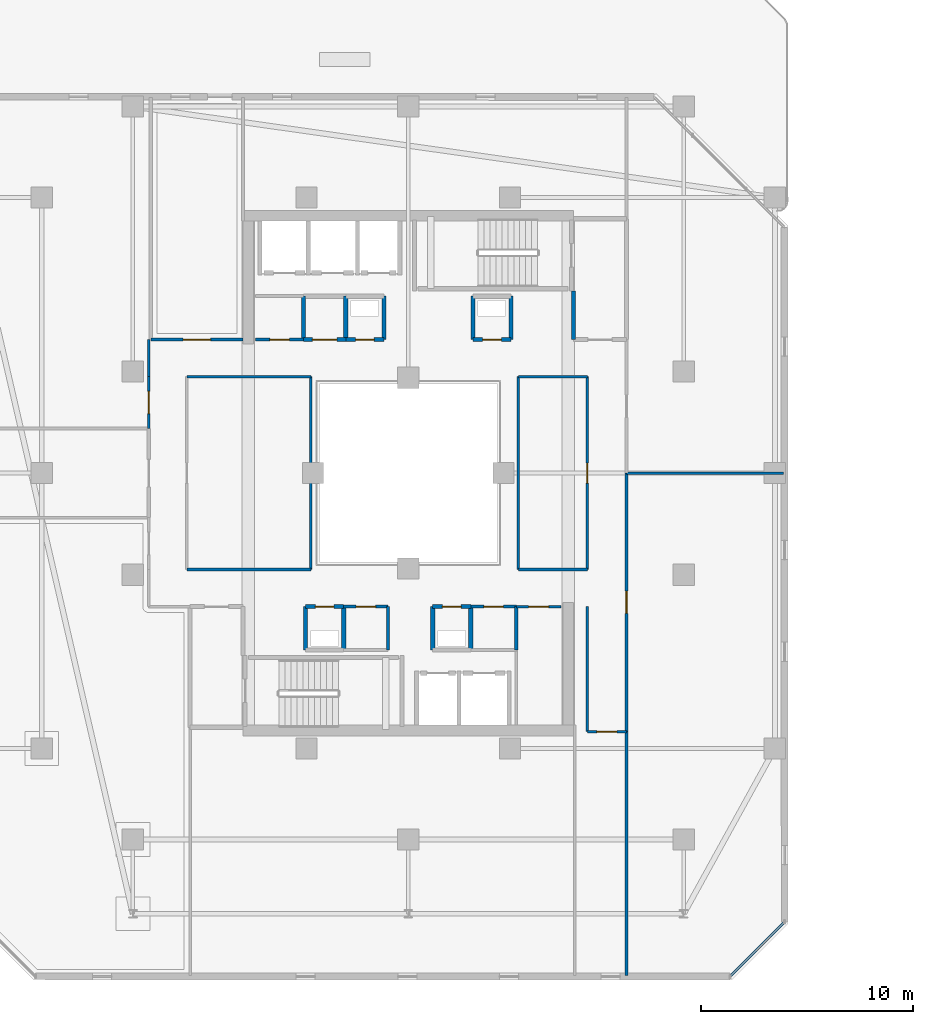
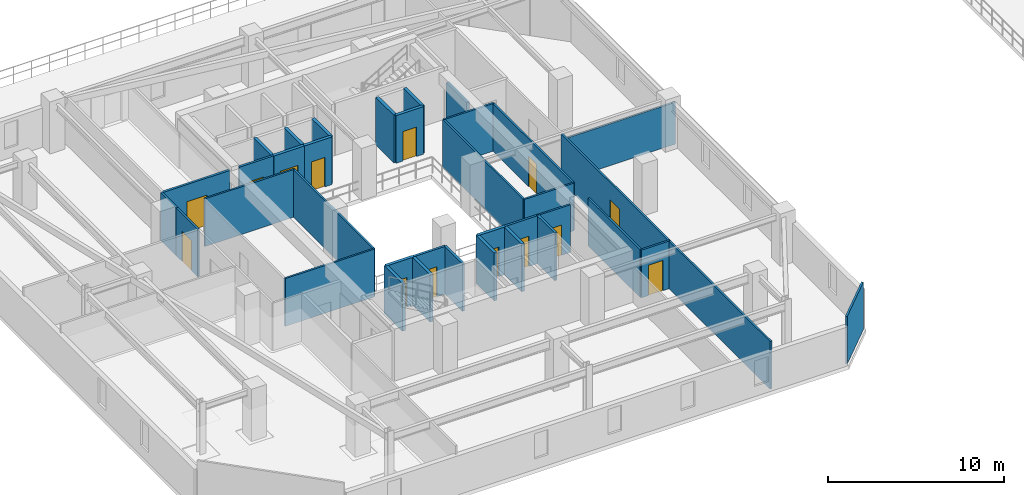
# One storey, part 19 of 29: 37 walls, 14 doors, 14 openings.
"""IFC4 building model written with IfcOpenShell, lengths in metres."""

from ifc_helpers import new_model, si_unit, direction, frame, frame_2d, origin, place, context, subcontext, project, spatial, rectangle, extrude, material, layer, layer_set, type_object, element, fill, save


model = new_model("IFC4")

# Units and contexts
model_context = context("Model", 3, precision=1e-05, world=origin(), true_north=direction((0.0, 1.0)))
body_context = subcontext(model_context, "Body", "Model", "MODEL_VIEW")
ifc_project = project(units=[si_unit("LENGTHUNIT", "METRE"), si_unit("AREAUNIT", "SQUARE_METRE"), si_unit("VOLUMEUNIT", "CUBIC_METRE"), si_unit("PLANEANGLEUNIT", "RADIAN"), si_unit("MASSUNIT", "GRAM", prefix="KILO")], contexts=[model_context])

# Site, building, storey
site_placement = place(None, origin())
site = spatial("IfcSite", under=ifc_project, at=site_placement, CompositionType="ELEMENT")
building_placement = place(site_placement, origin())
building = spatial("IfcBuilding", under=site, at=building_placement, Name="Thornwick Lancets Civic Towers", CompositionType="ELEMENT")
storey_placement = place(building_placement, frame((0.0, 0.0, 229.5)))
storey = spatial("IfcBuildingStorey", under=building, at=storey_placement, Name="L61", CompositionType="ELEMENT", Elevation=229.5)

# Walls
ifc_material_1 = material(Name="Concrete blockwork C40/50", Category="masonry")
ifc_layer_1 = layer(ifc_material_1, 0.199951171875, Name="Concrete blockwork C40/50")
ifc_layer_set_1 = layer_set([ifc_layer_1], Name="Concrete blockwork C40/50")
wall_type_1 = type_object("IfcWallType", Name="WALL_COMP_200", PredefinedType="STANDARD", material=ifc_layer_set_1)
wall_1_placement = place(storey_placement, frame((33.300048828125, 35.60009765625, 0.0), z_axis=(0.0, 0.0, 1.0), x_axis=(0.0, -1.0, 0.0)))
element("IfcWall", 1, at=wall_1_placement, inside=storey, type_object=wall_type_1, Name="L61 Partition L61-A-FFLOB2 E4", PredefinedType="STANDARD", context=body_context, shape_type="SweptSolid", body=[
    extrude(rectangle(XDim=2.300048828125, YDim=0.199951171875, at=frame_2d((1.14990234375, 0.0))), origin(), (0.0, 0.0, 1.0), 2.5048828125),
])
wall_2_placement = place(storey_placement, frame((28.449951171875, 18.64990234375, 0.0), z_axis=(0.0, 0.0, 1.0), x_axis=(0.0, 1.0, 0.0)))
element("IfcWall", 2, at=wall_2_placement, inside=storey, type_object=wall_type_1, Name="L61 Partition L61-A-DUCT1 E2", PredefinedType="STANDARD", context=body_context, shape_type="SweptSolid", body=[
    extrude(rectangle(XDim=2.050048828125, YDim=0.199951171875, at=frame_2d((1.02490234375, 0.0))), origin(), (0.0, 0.0, 1.0), 3.300048828125),
])

# Wall, opening, door
wall_3_placement = place(storey_placement, frame((28.449951171875, 20.699951171875, 0.0), z_axis=(0.0, 0.0, 1.0), x_axis=(-1.0, 0.0, 0.0)))
wall_3 = element("IfcWall", 3, at=wall_3_placement, inside=storey, type_object=wall_type_1, Name="L61 Partition L61-A-DUCT1 E3", PredefinedType="STANDARD", context=body_context, shape_type="SweptSolid", body=[
    extrude(rectangle(XDim=1.800048828125, YDim=0.199951171875, at=frame_2d((0.89990234375, 0.0))), origin(), (0.0, 0.0, 1.0), 3.300048828125),
])
opening_1_placement = place(wall_3_placement, frame((0.4599609375, 0.0, 0.0)))
opening_1 = element("IfcOpeningElement", 4, at=opening_1_placement, cuts=wall_3, Name="Opening D-L61-2739", PredefinedType="OPENING", context=body_context, shape_type="SweptSolid", body=[
    extrude(rectangle(XDim=0.8798828125, YDim=2.0400390625, at=frame_2d((0.43994140625, 1.02001953125))), frame((0.0, 0.10986328125, 0.0), z_axis=(0.0, -1.0, 0.0), x_axis=(1.0, 0.0, 0.0)), (0.0, 0.0, 1.0), 0.219970703125),
])
ifc_material_2 = material(Name="Steel riser access doorset", Category="steel")
door_type_1 = type_object("IfcDoorType", Name="DOOR_RISER_850", OperationType="NOTDEFINED", PredefinedType="DOOR", material=ifc_material_2)
door_1_placement = place(opening_1_placement, origin())
door_1 = element("IfcDoor", 5, at=door_1_placement, inside=storey, type_object=door_type_1, Name="L61 South Service Duct 1 Door", OperationType="SINGLE_SWING_RIGHT", OverallHeight=2.0400390625, OverallWidth=0.8798828125, PredefinedType="DOOR", context=body_context, shape_type="SweptSolid", body=[
    extrude(rectangle(XDim=0.8798828125, YDim=2.0400390625, at=frame_2d((0.43994140625, 1.02001953125))), frame((0.0, 0.02490234375, 0.0), z_axis=(0.0, -1.0, 0.0), x_axis=(1.0, 0.0, 0.0)), (0.0, 0.0, 1.0), 0.050048828125),
])
fill(opening_1, door_1)

# Walls
for number, where, z_axis, x_axis, name in (
    (6, (26.64990234375, 20.699951171875, 0.0), (0.0, 0.0, 1.0), (0.0, -1.0, 0.0), "L61 Partition L61-A-DUCT1 E4"),
    (7, (22.449951171875, 18.64990234375, 0.0), (0.0, 0.0, 1.0), (0.0, 1.0, 0.0), "L61 Partition L61-A-RISER1 E2"),
):
    element("IfcWall", number, at=place(storey_placement, frame(where, z_axis=z_axis, x_axis=x_axis)), inside=storey, type_object=wall_type_1, Name=name, PredefinedType="STANDARD", context=body_context, shape_type="SweptSolid", body=[
        extrude(rectangle(XDim=2.050048828125, YDim=0.199951171875, at=frame_2d((1.02490234375, 0.0))), origin(), (0.0, 0.0, 1.0), 3.300048828125),
    ])

# Wall, opening, door
wall_4_placement = place(storey_placement, frame((22.449951171875, 20.699951171875, 0.0), z_axis=(0.0, 0.0, 1.0), x_axis=(-1.0, 0.0, 0.0)))
wall_4 = element("IfcWall", 8, at=wall_4_placement, inside=storey, type_object=wall_type_1, Name="L61 Partition L61-A-RISER1 E3", PredefinedType="STANDARD", context=body_context, shape_type="SweptSolid", body=[
    extrude(rectangle(XDim=1.800048828125, YDim=0.199951171875, at=frame_2d((0.89990234375, 0.0))), origin(), (0.0, 0.0, 1.0), 3.300048828125),
])
opening_2_placement = place(wall_4_placement, frame((0.4599609375, 0.0, 0.0)))
opening_2 = element("IfcOpeningElement", 9, at=opening_2_placement, cuts=wall_4, Name="Opening D-L61-2740", PredefinedType="OPENING", context=body_context, shape_type="SweptSolid", body=[
    extrude(rectangle(XDim=0.8798828125, YDim=2.0400390625, at=frame_2d((0.43994140625, 1.02001953125))), frame((0.0, 0.10986328125, 0.0), z_axis=(0.0, -1.0, 0.0), x_axis=(1.0, 0.0, 0.0)), (0.0, 0.0, 1.0), 0.219970703125),
])
door_2_placement = place(opening_2_placement, origin())
door_2 = element("IfcDoor", 10, at=door_2_placement, inside=storey, type_object=door_type_1, Name="L61 South Electrical Riser 1 Door", OperationType="SINGLE_SWING_LEFT", OverallHeight=2.0400390625, OverallWidth=0.8798828125, PredefinedType="DOOR", context=body_context, shape_type="SweptSolid", body=[
    extrude(rectangle(XDim=0.8798828125, YDim=2.0400390625, at=frame_2d((0.43994140625, 1.02001953125))), frame((0.0, 0.02490234375, 0.0), z_axis=(0.0, -1.0, 0.0), x_axis=(1.0, 0.0, 0.0)), (0.0, 0.0, 1.0), 0.050048828125),
])
fill(opening_2, door_2)

# Wall
wall_5_placement = place(storey_placement, frame((20.64990234375, 20.699951171875, 0.0), z_axis=(0.0, 0.0, 1.0), x_axis=(0.0, -1.0, 0.0)))
element("IfcWall", 11, at=wall_5_placement, inside=storey, type_object=wall_type_1, Name="L61 Partition L61-A-RISER1 E4", PredefinedType="STANDARD", context=body_context, shape_type="SweptSolid", body=[
    extrude(rectangle(XDim=2.050048828125, YDim=0.199951171875, at=frame_2d((1.02490234375, 0.0))), origin(), (0.0, 0.0, 1.0), 3.300048828125),
])

# Wall, opening, door
wall_6_placement = place(storey_placement, frame((22.550048828125, 33.300048828125, 0.0), z_axis=(0.0, 0.0, 1.0), x_axis=(1.0, 0.0, 0.0)))
wall_6 = element("IfcWall", 12, at=wall_6_placement, inside=storey, type_object=wall_type_1, Name="L61 Partition L61-A-DUCT2 E1", PredefinedType="STANDARD", context=body_context, shape_type="SweptSolid", body=[
    extrude(rectangle(XDim=1.800048828125, YDim=0.199951171875, at=frame_2d((0.89990234375, 0.0))), origin(), (0.0, 0.0, 1.0), 3.300048828125),
])
opening_3_placement = place(wall_6_placement, frame((0.4599609375, 0.0, 0.0)))
opening_3 = element("IfcOpeningElement", 13, at=opening_3_placement, cuts=wall_6, Name="Opening D-L61-2741", PredefinedType="OPENING", context=body_context, shape_type="SweptSolid", body=[
    extrude(rectangle(XDim=0.8798828125, YDim=2.0400390625, at=frame_2d((0.43994140625, 1.02001953125))), frame((0.0, 0.10986328125, 0.0), z_axis=(0.0, -1.0, 0.0), x_axis=(1.0, 0.0, 0.0)), (0.0, 0.0, 1.0), 0.219970703125),
])
door_3_placement = place(opening_3_placement, origin())
door_3 = element("IfcDoor", 14, at=door_3_placement, inside=storey, type_object=door_type_1, Name="L61 North Service Duct 2 Door", OperationType="SINGLE_SWING_RIGHT", OverallHeight=2.0400390625, OverallWidth=0.8798828125, PredefinedType="DOOR", context=body_context, shape_type="SweptSolid", body=[
    extrude(rectangle(XDim=0.8798828125, YDim=2.0400390625, at=frame_2d((0.43994140625, 1.02001953125))), frame((0.0, 0.02490234375, 0.0), z_axis=(0.0, -1.0, 0.0), x_axis=(1.0, 0.0, 0.0)), (0.0, 0.0, 1.0), 0.050048828125),
])
fill(opening_3, door_3)

# Walls
for number, where, z_axis, x_axis, name in (
    (15, (24.35009765625, 33.300048828125, 0.0), (0.0, 0.0, 1.0), (0.0, 1.0, 0.0), "L61 Partition L61-A-DUCT2 E2"),
    (16, (22.550048828125, 35.35009765625, 0.0), (0.0, 0.0, 1.0), (0.0, -1.0, 0.0), "L61 Partition L61-A-DUCT2 E4"),
):
    element("IfcWall", number, at=place(storey_placement, frame(where, z_axis=z_axis, x_axis=x_axis)), inside=storey, type_object=wall_type_1, Name=name, PredefinedType="STANDARD", context=body_context, shape_type="SweptSolid", body=[
        extrude(rectangle(XDim=2.050048828125, YDim=0.199951171875, at=frame_2d((1.02490234375, 0.0))), origin(), (0.0, 0.0, 1.0), 3.300048828125),
    ])

# Wall, opening, door
wall_7_placement = place(storey_placement, frame((28.550048828125, 33.300048828125, 0.0), z_axis=(0.0, 0.0, 1.0), x_axis=(1.0, 0.0, 0.0)))
wall_7 = element("IfcWall", 17, at=wall_7_placement, inside=storey, type_object=wall_type_1, Name="L61 Partition L61-A-RISER2 E1", PredefinedType="STANDARD", context=body_context, shape_type="SweptSolid", body=[
    extrude(rectangle(XDim=1.800048828125, YDim=0.199951171875, at=frame_2d((0.89990234375, 0.0))), origin(), (0.0, 0.0, 1.0), 3.300048828125),
])
opening_4_placement = place(wall_7_placement, frame((0.4599609375, 0.0, 0.0)))
opening_4 = element("IfcOpeningElement", 18, at=opening_4_placement, cuts=wall_7, Name="Opening D-L61-2742", PredefinedType="OPENING", context=body_context, shape_type="SweptSolid", body=[
    extrude(rectangle(XDim=0.8798828125, YDim=2.0400390625, at=frame_2d((0.43994140625, 1.02001953125))), frame((0.0, 0.10986328125, 0.0), z_axis=(0.0, -1.0, 0.0), x_axis=(1.0, 0.0, 0.0)), (0.0, 0.0, 1.0), 0.219970703125),
])
door_4_placement = place(opening_4_placement, origin())
door_4 = element("IfcDoor", 19, at=door_4_placement, inside=storey, type_object=door_type_1, Name="L61 North Service Riser 2 Door", OperationType="SINGLE_SWING_LEFT", OverallHeight=2.0400390625, OverallWidth=0.8798828125, PredefinedType="DOOR", context=body_context, shape_type="SweptSolid", body=[
    extrude(rectangle(XDim=0.8798828125, YDim=2.0400390625, at=frame_2d((0.43994140625, 1.02001953125))), frame((0.0, 0.02490234375, 0.0), z_axis=(0.0, -1.0, 0.0), x_axis=(1.0, 0.0, 0.0)), (0.0, 0.0, 1.0), 0.050048828125),
])
fill(opening_4, door_4)

# Walls
for number, where, z_axis, x_axis, name in (
    (20, (30.35009765625, 33.300048828125, 0.0), (0.0, 0.0, 1.0), (0.0, 1.0, 0.0), "L61 Partition L61-A-RISER2 E2"),
    (21, (28.550048828125, 35.35009765625, 0.0), (0.0, 0.0, 1.0), (0.0, -1.0, 0.0), "L61 Partition L61-A-RISER2 E4"),
    (22, (20.550048828125, 33.300048828125, 0.0), (0.0, 0.0, 1.0), (0.0, 1.0, 0.0), "L61 Partition L61-A-STR E1"),
):
    element("IfcWall", number, at=place(storey_placement, frame(where, z_axis=z_axis, x_axis=x_axis)), inside=storey, type_object=wall_type_1, Name=name, PredefinedType="STANDARD", context=body_context, shape_type="SweptSolid", body=[
        extrude(rectangle(XDim=2.050048828125, YDim=0.199951171875, at=frame_2d((1.02490234375, 0.0))), origin(), (0.0, 0.0, 1.0), 3.300048828125),
    ])

# Wall, opening, door
wall_8_placement = place(storey_placement, frame((22.550048828125, 33.300048828125, 0.0), z_axis=(0.0, 0.0, 1.0), x_axis=(-1.0, 0.0, 0.0)))
wall_8 = element("IfcWall", 23, at=wall_8_placement, inside=storey, type_object=wall_type_1, Name="L61 Partition L61-A-STR E4", PredefinedType="STANDARD", context=body_context, shape_type="SweptSolid", body=[
    extrude(rectangle(XDim=2.0, YDim=0.199951171875, at=frame_2d((1.0, 0.0))), origin(), (0.0, 0.0, 1.0), 3.300048828125),
])
opening_5_placement = place(wall_8_placement, frame((0.425048828125, 0.0, 0.0)))
opening_5 = element("IfcOpeningElement", 24, at=opening_5_placement, cuts=wall_8, Name="Opening D-L61-2747", PredefinedType="OPENING", context=body_context, shape_type="SweptSolid", body=[
    extrude(rectangle(XDim=1.14990234375, YDim=2.10009765625, at=frame_2d((0.574951171875, 1.050048828125))), frame((0.0, 0.10986328125, 0.0), z_axis=(0.0, -1.0, 0.0), x_axis=(1.0, 0.0, 0.0)), (0.0, 0.0, 1.0), 0.219970703125),
])
ifc_material_3 = material(Name="Glazed fire-resisting steel", Category="steel")
door_type_2 = type_object("IfcDoorType", Name="DOOR_LOBBY_FD60", OperationType="NOTDEFINED", PredefinedType="DOOR", material=ifc_material_3)
door_5_placement = place(opening_5_placement, origin())
door_5 = element("IfcDoor", 25, at=door_5_placement, inside=storey, type_object=door_type_2, Name="L61 Tower A Core Records Store Door", OperationType="SINGLE_SWING_RIGHT", OverallHeight=2.10009765625, OverallWidth=1.14990234375, PredefinedType="DOOR", context=body_context, shape_type="SweptSolid", body=[
    extrude(rectangle(XDim=1.14990234375, YDim=2.10009765625, at=frame_2d((0.574951171875, 1.050048828125))), frame((0.0, 0.02490234375, 0.0), z_axis=(0.0, -1.0, 0.0), x_axis=(1.0, 0.0, 0.0)), (0.0, 0.0, 1.0), 0.050048828125),
])
fill(opening_5, door_5)

ifc_material_4 = material(Name="Acoustic gypsum board partition")
ifc_layer_2 = layer(ifc_material_4, 0.1201171875, Name="Acoustic gypsum board partition")
ifc_layer_set_2 = layer_set([ifc_layer_2], Name="Acoustic gypsum board partition")
wall_type_2 = type_object("IfcWallType", Name="WALL_PART_120", PredefinedType="PARTITIONING", material=ifc_layer_set_2)
wall_9_placement = place(storey_placement, frame((30.60009765625, 20.699951171875, 0.0), z_axis=(0.0, 0.0, 1.0), x_axis=(1.0, 0.0, 0.0)))
wall_9 = element("IfcWall", 26, at=wall_9_placement, inside=storey, type_object=wall_type_2, Name="L61 Partition L61-A-ITR E5", PredefinedType="PARTITIONING", context=body_context, shape_type="SweptSolid", body=[
    extrude(rectangle(XDim=2.099853515625, YDim=0.1201171875, at=frame_2d((1.0498046875, 0.0))), origin(), (0.0, 0.0, 1.0), 3.300048828125),
])
opening_6_placement = place(wall_9_placement, frame((0.574951171875, 0.0, 0.0)))
opening_6 = element("IfcOpeningElement", 27, at=opening_6_placement, cuts=wall_9, Name="Opening D-L61-2745", PredefinedType="OPENING", context=body_context, shape_type="SweptSolid", body=[
    extrude(rectangle(XDim=0.949951171875, YDim=2.10009765625, at=frame_2d((0.47509765625, 1.050048828125))), frame((0.0, 0.070068359375, 0.0), z_axis=(0.0, -1.0, 0.0), x_axis=(1.0, 0.0, 0.0)), (0.0, 0.0, 1.0), 0.14013671875),
])
ifc_material_5 = material(Name="European oak acoustic doorset")
door_type_3 = type_object("IfcDoorType", Name="DOOR_OFFICE_950", OperationType="NOTDEFINED", PredefinedType="DOOR", material=ifc_material_5)
door_6_placement = place(opening_6_placement, origin())
door_6 = element("IfcDoor", 28, at=door_6_placement, inside=storey, type_object=door_type_3, Name="L61 Tower A Comms Patch Room Door", OperationType="SINGLE_SWING_RIGHT", OverallHeight=2.10009765625, OverallWidth=0.949951171875, PredefinedType="DOOR", context=body_context, shape_type="SweptSolid", body=[
    extrude(rectangle(XDim=0.949951171875, YDim=2.10009765625, at=frame_2d((0.47509765625, 1.050048828125))), frame((0.0, 0.02490234375, 0.0), z_axis=(0.0, -1.0, 0.0), x_axis=(1.0, 0.0, 0.0)), (0.0, 0.0, 1.0), 0.050048828125),
])
fill(opening_6, door_6)

# Wall
wall_10_placement = place(storey_placement, frame((33.949951171875, 20.699951171875, 0.0), z_axis=(0.0, 0.0, 1.0), x_axis=(0.0, -1.0, 0.0)))
element("IfcWall", 29, at=wall_10_placement, inside=storey, type_object=wall_type_2, Name="L61 Partition L61-A-RECLAIM-L E1", PredefinedType="PARTITIONING", context=body_context, shape_type="SweptSolid", body=[
    extrude(rectangle(XDim=5.89990234375, YDim=0.1201171875, at=frame_2d((2.949951171875, 0.0))), origin(), (0.0, 0.0, 1.0), 3.300048828125),
])

# Wall, opening, door
wall_11_placement = place(storey_placement, frame((33.949951171875, 14.800048828125, 0.0), z_axis=(0.0, 0.0, 1.0), x_axis=(1.0, 0.0, 0.0)))
wall_11 = element("IfcWall", 30, at=wall_11_placement, inside=storey, type_object=wall_type_2, Name="L61 Partition L61-A-RECLAIM-L E2", PredefinedType="PARTITIONING", context=body_context, shape_type="SweptSolid", body=[
    extrude(rectangle(XDim=1.85009765625, YDim=0.1201171875, at=frame_2d((0.925048828125, 0.0))), origin(), (0.0, 0.0, 1.0), 3.300048828125),
])
opening_7_placement = place(wall_11_placement, frame((0.449951171875, 0.0, 0.0)))
opening_7 = element("IfcOpeningElement", 31, at=opening_7_placement, cuts=wall_11, Name="Opening D-L61-2759", PredefinedType="OPENING", context=body_context, shape_type="SweptSolid", body=[
    extrude(rectangle(XDim=0.949951171875, YDim=2.10009765625, at=frame_2d((0.47509765625, 1.050048828125))), frame((0.0, 0.070068359375, 0.0), z_axis=(0.0, -1.0, 0.0), x_axis=(1.0, 0.0, 0.0)), (0.0, 0.0, 1.0), 0.14013671875),
])
door_7_placement = place(opening_7_placement, origin())
door_7 = element("IfcDoor", 32, at=door_7_placement, inside=storey, type_object=door_type_3, Name="L61 Tower A Parliamentary Drafting Library Door", OperationType="SINGLE_SWING_RIGHT", OverallHeight=2.10009765625, OverallWidth=0.949951171875, PredefinedType="DOOR", context=body_context, shape_type="SweptSolid", body=[
    extrude(rectangle(XDim=0.949951171875, YDim=2.10009765625, at=frame_2d((0.47509765625, 1.050048828125))), frame((0.0, 0.02490234375, 0.0), z_axis=(0.0, -1.0, 0.0), x_axis=(1.0, 0.0, 0.0)), (0.0, 0.0, 1.0), 0.050048828125),
])
fill(opening_7, door_7)

# Walls
wall_12_placement = place(storey_placement, frame((35.800048828125, 14.800048828125, 0.0), z_axis=(0.0, 0.0, 1.0), x_axis=(0.0, -1.0, 0.0)))
element("IfcWall", 33, at=wall_12_placement, inside=storey, type_object=wall_type_2, Name="L61 Partition L61-A-RECLAIM-L E3", PredefinedType="PARTITIONING", context=body_context, shape_type="SweptSolid", body=[
    extrude(rectangle(XDim=11.52001953125, YDim=0.1201171875, at=frame_2d((5.760009765625, 0.0))), origin(), (0.0, 0.0, 1.0), 3.300048828125),
])
wall_13_placement = place(storey_placement, frame((13.25, 33.300048828125, 0.0), z_axis=(0.0, 0.0, 1.0), x_axis=(0.0, -1.0, 0.0)))
element("IfcWall", 34, at=wall_13_placement, inside=storey, type_object=wall_type_2, Name="L61 Partition L61-A-W2B E5", PredefinedType="PARTITIONING", context=body_context, shape_type="SweptSolid", body=[
    extrude(rectangle(XDim=1.75, YDim=0.1201171875, at=frame_2d((0.875, 0.0))), origin(), (0.0, 0.0, 1.0), 3.300048828125),
])

# Wall, opening, door
wall_14_placement = place(storey_placement, frame((13.25, 31.550048828125, 0.0), z_axis=(0.0, 0.0, 1.0), x_axis=(0.0, -1.0, 0.0)))
wall_14 = element("IfcWall", 35, at=wall_14_placement, inside=storey, type_object=wall_type_2, Name="L61 Partition L61-A-W2B E6", PredefinedType="PARTITIONING", context=body_context, shape_type="SweptSolid", body=[
    extrude(rectangle(XDim=2.449951171875, YDim=0.1201171875, at=frame_2d((1.22509765625, 0.0))), origin(), (0.0, 0.0, 1.0), 3.300048828125),
])
opening_8_placement = place(wall_14_placement, frame((0.699951171875, 0.0, 0.0)))
opening_8 = element("IfcOpeningElement", 36, at=opening_8_placement, cuts=wall_14, Name="Opening D-L61-2763", PredefinedType="OPENING", context=body_context, shape_type="SweptSolid", body=[
    extrude(rectangle(XDim=1.050048828125, YDim=2.10009765625, at=frame_2d((0.52490234375, 1.050048828125))), frame((0.0, 0.070068359375, 0.0), z_axis=(0.0, -1.0, 0.0), x_axis=(1.0, 0.0, 0.0)), (0.0, 0.0, 1.0), 0.14013671875),
])
ifc_material_6 = material(Name="Glazed European oak executive doorset")
door_type_4 = type_object("IfcDoorType", Name="DOOR_OFFICE_1050", OperationType="NOTDEFINED", PredefinedType="DOOR", material=ifc_material_6)
door_8_placement = place(opening_8_placement, origin())
door_8 = element("IfcDoor", 37, at=door_8_placement, inside=storey, type_object=door_type_4, Name="L61 Tower A Parliamentary Casework Suite W2B Door", OperationType="SINGLE_SWING_RIGHT", OverallHeight=2.10009765625, OverallWidth=1.050048828125, PredefinedType="DOOR", context=body_context, shape_type="SweptSolid", body=[
    extrude(rectangle(XDim=1.050048828125, YDim=2.10009765625, at=frame_2d((0.52490234375, 1.050048828125))), frame((0.0, 0.02490234375, 0.0), z_axis=(0.0, -1.0, 0.0), x_axis=(1.0, 0.0, 0.0)), (0.0, 0.0, 1.0), 0.050048828125),
])
fill(opening_8, door_8)

# Walls
wall_15_placement = place(storey_placement, frame((15.050048828125, 31.550048828125, 0.0), z_axis=(0.0, 0.0, 1.0), x_axis=(1.0, 0.0, 0.0)))
element("IfcWall", 38, at=wall_15_placement, inside=storey, type_object=wall_type_2, Name="L61 Partition L61-A-W3 E2", PredefinedType="PARTITIONING", context=body_context, shape_type="SweptSolid", body=[
    extrude(rectangle(XDim=5.849853515625, YDim=0.1201171875, at=frame_2d((2.9248046875, 0.0))), origin(), (0.0, 0.0, 1.0), 3.300048828125),
])
wall_16_placement = place(storey_placement, frame((20.89990234375, 31.550048828125, 0.0), z_axis=(0.0, 0.0, 1.0), x_axis=(0.0, -1.0, 0.0)))
element("IfcWall", 39, at=wall_16_placement, inside=storey, type_object=wall_type_2, Name="L61 Partition L61-A-W3 E3", PredefinedType="PARTITIONING", context=body_context, shape_type="SweptSolid", body=[
    extrude(rectangle(XDim=9.10009765625, YDim=0.1201171875, at=frame_2d((4.550048828125, 0.0))), origin(), (0.0, 0.0, 1.0), 3.300048828125),
])
wall_17_placement = place(storey_placement, frame((20.89990234375, 22.449951171875, 0.0), z_axis=(0.0, 0.0, 1.0), x_axis=(-1.0, 0.0, 0.0)))
element("IfcWall", 40, at=wall_17_placement, inside=storey, type_object=wall_type_2, Name="L61 Partition L61-A-W3 E4", PredefinedType="PARTITIONING", context=body_context, shape_type="SweptSolid", body=[
    extrude(rectangle(XDim=5.849853515625, YDim=0.1201171875, at=frame_2d((2.9248046875, 0.0))), origin(), (0.0, 0.0, 1.0), 3.300048828125),
])

# Wall, opening, door
wall_18_placement = place(storey_placement, frame((35.800048828125, 14.800048828125, 0.0), z_axis=(0.0, 0.0, 1.0), x_axis=(0.0, 1.0, 0.0)))
wall_18 = element("IfcWall", 41, at=wall_18_placement, inside=storey, type_object=wall_type_2, Name="L61 Partition L61-A-E1 E3", PredefinedType="PARTITIONING", context=body_context, shape_type="SweptSolid", body=[
    extrude(rectangle(XDim=12.199951171875, YDim=0.1201171875, at=frame_2d((6.10009765625, 0.0))), origin(), (0.0, 0.0, 1.0), 3.300048828125),
])
opening_9_placement = place(wall_18_placement, frame((5.574951171875, 0.0, 0.0)))
opening_9 = element("IfcOpeningElement", 42, at=opening_9_placement, cuts=wall_18, Name="Opening D-L61-2765", PredefinedType="OPENING", context=body_context, shape_type="SweptSolid", body=[
    extrude(rectangle(XDim=1.050048828125, YDim=2.10009765625, at=frame_2d((0.52490234375, 1.050048828125))), frame((0.0, 0.070068359375, 0.0), z_axis=(0.0, -1.0, 0.0), x_axis=(1.0, 0.0, 0.0)), (0.0, 0.0, 1.0), 0.14013671875),
])
door_9_placement = place(opening_9_placement, origin())
door_9 = element("IfcDoor", 43, at=door_9_placement, inside=storey, type_object=door_type_4, Name="L61 Tower A Secretariat Open Office E1 Door", OperationType="SINGLE_SWING_RIGHT", OverallHeight=2.10009765625, OverallWidth=1.050048828125, PredefinedType="DOOR", context=body_context, shape_type="SweptSolid", body=[
    extrude(rectangle(XDim=1.050048828125, YDim=2.10009765625, at=frame_2d((0.52490234375, 1.050048828125))), frame((0.0, 0.02490234375, 0.0), z_axis=(0.0, -1.0, 0.0), x_axis=(1.0, 0.0, 0.0)), (0.0, 0.0, 1.0), 0.050048828125),
])
fill(opening_9, door_9)

# Walls
wall_19_placement = place(storey_placement, frame((35.800048828125, 27.0, 0.0), z_axis=(0.0, 0.0, 1.0), x_axis=(1.0, 0.0, 0.0)))
element("IfcWall", 44, at=wall_19_placement, inside=storey, type_object=wall_type_2, Name="L61 Partition L61-A-E1 E4", PredefinedType="PARTITIONING", context=body_context, shape_type="SweptSolid", body=[
    extrude(rectangle(XDim=7.419921875, YDim=0.1201171875, at=frame_2d((3.7099609375, 0.0))), origin(), (0.0, 0.0, 1.0), 2.89208984375),
])
wall_20_placement = place(storey_placement, frame((43.219970703125, 5.774658203125, 0.0), z_axis=(0.0, 0.0, 1.0), x_axis=(-0.707106781187, -0.707106781187, 0.0)))
element("IfcWall", 45, at=wall_20_placement, inside=storey, type_object=wall_type_2, Name="L61 Partition L61-A-E1 E6", PredefinedType="PARTITIONING", context=body_context, shape_type="SweptSolid", body=[
    extrude(rectangle(XDim=3.52783203125, YDim=0.1201171875, at=frame_2d((1.763916015625, 0.0))), origin(), (0.0, 0.0, 1.0), 3.300048828125),
])
wall_21_placement = place(storey_placement, frame((30.699951171875, 22.449951171875, 0.0), z_axis=(0.0, 0.0, 1.0), x_axis=(0.0, 1.0, 0.0)))
element("IfcWall", 46, at=wall_21_placement, inside=storey, type_object=wall_type_2, Name="L61 Partition L61-A-E-ATRIUM-OFF E1", PredefinedType="PARTITIONING", context=body_context, shape_type="SweptSolid", body=[
    extrude(rectangle(XDim=9.10009765625, YDim=0.1201171875, at=frame_2d((4.550048828125, 0.0))), origin(), (0.0, 0.0, 1.0), 3.300048828125),
])
wall_22_placement = place(storey_placement, frame((30.699951171875, 31.550048828125, 0.0), z_axis=(0.0, 0.0, 1.0), x_axis=(1.0, 0.0, 0.0)))
element("IfcWall", 47, at=wall_22_placement, inside=storey, type_object=wall_type_2, Name="L61 Partition L61-A-E-ATRIUM-OFF E2", PredefinedType="PARTITIONING", context=body_context, shape_type="SweptSolid", body=[
    extrude(rectangle(XDim=3.25, YDim=0.1201171875, at=frame_2d((1.625, 0.0))), origin(), (0.0, 0.0, 1.0), 3.300048828125),
])

# Wall, opening, door
wall_23_placement = place(storey_placement, frame((33.949951171875, 31.550048828125, 0.0), z_axis=(0.0, 0.0, 1.0), x_axis=(0.0, -1.0, 0.0)))
wall_23 = element("IfcWall", 48, at=wall_23_placement, inside=storey, type_object=wall_type_2, Name="L61 Partition L61-A-E-ATRIUM-OFF E3", PredefinedType="PARTITIONING", context=body_context, shape_type="SweptSolid", body=[
    extrude(rectangle(XDim=9.10009765625, YDim=0.1201171875, at=frame_2d((4.550048828125, 0.0))), origin(), (0.0, 0.0, 1.0), 3.300048828125),
])
opening_10_placement = place(wall_23_placement, frame((4.074951171875, 0.0, 0.0)))
opening_10 = element("IfcOpeningElement", 49, at=opening_10_placement, cuts=wall_23, Name="Opening D-L61-2767", PredefinedType="OPENING", context=body_context, shape_type="SweptSolid", body=[
    extrude(rectangle(XDim=0.949951171875, YDim=2.10009765625, at=frame_2d((0.47509765625, 1.050048828125))), frame((0.0, 0.070068359375, 0.0), z_axis=(0.0, -1.0, 0.0), x_axis=(1.0, 0.0, 0.0)), (0.0, 0.0, 1.0), 0.14013671875),
])
door_10_placement = place(opening_10_placement, origin())
door_10 = element("IfcDoor", 50, at=door_10_placement, inside=storey, type_object=door_type_3, Name="L61 Tower A Atrium Policy Office Door", OperationType="SINGLE_SWING_RIGHT", OverallHeight=2.10009765625, OverallWidth=0.949951171875, PredefinedType="DOOR", context=body_context, shape_type="SweptSolid", body=[
    extrude(rectangle(XDim=0.949951171875, YDim=2.10009765625, at=frame_2d((0.47509765625, 1.050048828125))), frame((0.0, 0.02490234375, 0.0), z_axis=(0.0, -1.0, 0.0), x_axis=(1.0, 0.0, 0.0)), (0.0, 0.0, 1.0), 0.050048828125),
])
fill(opening_10, door_10)

# Walls
wall_24_placement = place(storey_placement, frame((33.949951171875, 22.449951171875, 0.0), z_axis=(0.0, 0.0, 1.0), x_axis=(-1.0, 0.0, 0.0)))
element("IfcWall", 51, at=wall_24_placement, inside=storey, type_object=wall_type_2, Name="L61 Partition L61-A-E-ATRIUM-OFF E4", PredefinedType="PARTITIONING", context=body_context, shape_type="SweptSolid", body=[
    extrude(rectangle(XDim=3.25, YDim=0.1201171875, at=frame_2d((1.625, 0.0))), origin(), (0.0, 0.0, 1.0), 3.300048828125),
])
ifc_material_7 = material(Name="Twin-stud acoustic gypsum board")
ifc_layer_3 = layer(ifc_material_7, 0.14990234375, Name="Twin-stud acoustic gypsum board")
ifc_layer_set_3 = layer_set([ifc_layer_3], Name="Twin-stud acoustic gypsum board")
wall_type_3 = type_object("IfcWallType", Name="WALL_PART_150", PredefinedType="PARTITIONING", material=ifc_layer_set_3)
wall_25_placement = place(storey_placement, frame((24.550048828125, 20.699951171875, 0.0), z_axis=(0.0, 0.0, 1.0), x_axis=(0.0, -1.0, 0.0)))
element("IfcWall", 52, at=wall_25_placement, inside=storey, type_object=wall_type_3, Name="L61 Partition L61-A-MWC E1", PredefinedType="PARTITIONING", context=body_context, shape_type="SweptSolid", body=[
    extrude(rectangle(XDim=2.050048828125, YDim=0.14990234375, at=frame_2d((1.02490234375, 0.0))), origin(), (0.0, 0.0, 1.0), 3.300048828125),
])

# Wall, opening, door
wall_26_placement = place(storey_placement, frame((22.449951171875, 20.699951171875, 0.0), z_axis=(0.0, 0.0, 1.0), x_axis=(1.0, 0.0, 0.0)))
wall_26 = element("IfcWall", 53, at=wall_26_placement, inside=storey, type_object=wall_type_3, Name="L61 Partition L61-A-MWC E4", PredefinedType="PARTITIONING", context=body_context, shape_type="SweptSolid", body=[
    extrude(rectangle(XDim=2.10009765625, YDim=0.14990234375, at=frame_2d((1.050048828125, 0.0))), origin(), (0.0, 0.0, 1.0), 3.300048828125),
])
opening_11_placement = place(wall_26_placement, frame((0.590087890625, 0.0, 0.0)))
opening_11 = element("IfcOpeningElement", 54, at=opening_11_placement, cuts=wall_26, Name="Opening D-L61-2743", PredefinedType="OPENING", context=body_context, shape_type="SweptSolid", body=[
    extrude(rectangle(XDim=0.919921875, YDim=2.080078125, at=frame_2d((0.4599609375, 1.0400390625))), frame((0.0, 0.0849609375, 0.0), z_axis=(0.0, -1.0, 0.0), x_axis=(1.0, 0.0, 0.0)), (0.0, 0.0, 1.0), 0.169921875),
])
ifc_material_8 = material(Name="Moisture-resistant oak doorset")
door_type_5 = type_object("IfcDoorType", Name="DOOR_WC_900", OperationType="NOTDEFINED", PredefinedType="DOOR", material=ifc_material_8)
door_11_placement = place(opening_11_placement, origin())
door_11 = element("IfcDoor", 55, at=door_11_placement, inside=storey, type_object=door_type_5, Name="L61 Tower A Male WC Door", OperationType="SINGLE_SWING_RIGHT", OverallHeight=2.080078125, OverallWidth=0.919921875, PredefinedType="DOOR", context=body_context, shape_type="SweptSolid", body=[
    extrude(rectangle(XDim=0.919921875, YDim=2.080078125, at=frame_2d((0.4599609375, 1.0400390625))), frame((0.0, 0.02490234375, 0.0), z_axis=(0.0, -1.0, 0.0), x_axis=(1.0, 0.0, 0.0)), (0.0, 0.0, 1.0), 0.050048828125),
])
fill(opening_11, door_11)

# Wall
wall_27_placement = place(storey_placement, frame((30.60009765625, 20.699951171875, 0.0), z_axis=(0.0, 0.0, 1.0), x_axis=(0.0, -1.0, 0.0)))
element("IfcWall", 56, at=wall_27_placement, inside=storey, type_object=wall_type_3, Name="L61 Partition L61-A-FWC E1", PredefinedType="PARTITIONING", context=body_context, shape_type="SweptSolid", body=[
    extrude(rectangle(XDim=2.050048828125, YDim=0.14990234375, at=frame_2d((1.02490234375, 0.0))), origin(), (0.0, 0.0, 1.0), 3.300048828125),
])

# Wall, opening, door
wall_28_placement = place(storey_placement, frame((28.449951171875, 20.699951171875, 0.0), z_axis=(0.0, 0.0, 1.0), x_axis=(1.0, 0.0, 0.0)))
wall_28 = element("IfcWall", 57, at=wall_28_placement, inside=storey, type_object=wall_type_3, Name="L61 Partition L61-A-FWC E4", PredefinedType="PARTITIONING", context=body_context, shape_type="SweptSolid", body=[
    extrude(rectangle(XDim=2.150146484375, YDim=0.14990234375, at=frame_2d((1.0751953125, 0.0))), origin(), (0.0, 0.0, 1.0), 3.300048828125),
])
opening_12_placement = place(wall_28_placement, frame((0.614990234375, 0.0, 0.0)))
opening_12 = element("IfcOpeningElement", 58, at=opening_12_placement, cuts=wall_28, Name="Opening D-L61-2744", PredefinedType="OPENING", context=body_context, shape_type="SweptSolid", body=[
    extrude(rectangle(XDim=0.919921875, YDim=2.080078125, at=frame_2d((0.4599609375, 1.0400390625))), frame((0.0, 0.0849609375, 0.0), z_axis=(0.0, -1.0, 0.0), x_axis=(1.0, 0.0, 0.0)), (0.0, 0.0, 1.0), 0.169921875),
])
door_12_placement = place(opening_12_placement, origin())
door_12 = element("IfcDoor", 59, at=door_12_placement, inside=storey, type_object=door_type_5, Name="L61 Tower A Female WC Door", OperationType="SINGLE_SWING_LEFT", OverallHeight=2.080078125, OverallWidth=0.919921875, PredefinedType="DOOR", context=body_context, shape_type="SweptSolid", body=[
    extrude(rectangle(XDim=0.919921875, YDim=2.080078125, at=frame_2d((0.4599609375, 1.0400390625))), frame((0.0, 0.02490234375, 0.0), z_axis=(0.0, -1.0, 0.0), x_axis=(1.0, 0.0, 0.0)), (0.0, 0.0, 1.0), 0.050048828125),
])
fill(opening_12, door_12)

wall_29_placement = place(storey_placement, frame((18.300048828125, 33.300048828125, 0.0), z_axis=(0.0, 0.0, 1.0), x_axis=(1.0, 0.0, 0.0)))
wall_29 = element("IfcWall", 60, at=wall_29_placement, inside=storey, type_object=wall_type_3, Name="L61 Partition L61-A-AWC E1", PredefinedType="PARTITIONING", context=body_context, shape_type="SweptSolid", body=[
    extrude(rectangle(XDim=2.25, YDim=0.14990234375, at=frame_2d((1.125, 0.0))), origin(), (0.0, 0.0, 1.0), 3.300048828125),
])
opening_13_placement = place(wall_29_placement, frame((0.6650390625, 0.0, 0.0)))
opening_13 = element("IfcOpeningElement", 61, at=opening_13_placement, cuts=wall_29, Name="Opening D-L61-2746", PredefinedType="OPENING", context=body_context, shape_type="SweptSolid", body=[
    extrude(rectangle(XDim=0.919921875, YDim=2.080078125, at=frame_2d((0.4599609375, 1.0400390625))), frame((0.0, 0.0849609375, 0.0), z_axis=(0.0, -1.0, 0.0), x_axis=(1.0, 0.0, 0.0)), (0.0, 0.0, 1.0), 0.169921875),
])
door_13_placement = place(opening_13_placement, origin())
door_13 = element("IfcDoor", 62, at=door_13_placement, inside=storey, type_object=door_type_5, Name="L61 Tower A Accessible WC Door", OperationType="SINGLE_SWING_LEFT", OverallHeight=2.080078125, OverallWidth=0.919921875, PredefinedType="DOOR", context=body_context, shape_type="SweptSolid", body=[
    extrude(rectangle(XDim=0.919921875, YDim=2.080078125, at=frame_2d((0.4599609375, 1.0400390625))), frame((0.0, 0.02490234375, 0.0), z_axis=(0.0, -1.0, 0.0), x_axis=(1.0, 0.0, 0.0)), (0.0, 0.0, 1.0), 0.050048828125),
])
fill(opening_13, door_13)

wall_30_placement = place(storey_placement, frame((17.699951171875, 33.300048828125, 0.0), z_axis=(0.0, 0.0, 1.0), x_axis=(-1.0, 0.0, 0.0)))
wall_30 = element("IfcWall", 63, at=wall_30_placement, inside=storey, type_object=wall_type_3, Name="L61 Partition L61-A-RECLAIM-M1 E4", PredefinedType="PARTITIONING", context=body_context, shape_type="SweptSolid", body=[
    extrude(rectangle(XDim=4.349853515625, YDim=0.14990234375, at=frame_2d((2.1748046875, 0.0))), origin(), (0.0, 0.0, 1.0), 3.300048828125),
])
opening_14_placement = place(wall_30_placement, frame((1.52490234375, 0.0, 0.0)))
opening_14 = element("IfcOpeningElement", 64, at=opening_14_placement, cuts=wall_30, Name="Opening D-L61-2760", PredefinedType="OPENING", context=body_context, shape_type="SweptSolid", body=[
    extrude(rectangle(XDim=1.300048828125, YDim=2.1201171875, at=frame_2d((0.64990234375, 1.06005859375))), frame((0.0, 0.0849609375, 0.0), z_axis=(0.0, -1.0, 0.0), x_axis=(1.0, 0.0, 0.0)), (0.0, 0.0, 1.0), 0.169921875),
])
ifc_material_9 = material(Name="Acoustic oak leaf-and-a-half doorset")
door_type_6 = type_object("IfcDoorType", Name="DOOR_MEET_1300", OperationType="DOUBLE_DOOR_SINGLE_SWING", PredefinedType="DOOR", material=ifc_material_9)
door_14_placement = place(opening_14_placement, origin())
door_14 = element("IfcDoor", 65, at=door_14_placement, inside=storey, type_object=door_type_6, Name="L61 Tower A Diplomatic Conference Suite Door", OperationType="DOUBLE_DOOR_SINGLE_SWING", OverallHeight=2.1201171875, OverallWidth=1.300048828125, PredefinedType="DOOR", context=body_context, shape_type="SweptSolid", body=[
    extrude(rectangle(XDim=1.300048828125, YDim=2.1201171875, at=frame_2d((0.64990234375, 1.06005859375))), frame((0.0, 0.02490234375, 0.0), z_axis=(0.0, -1.0, 0.0), x_axis=(1.0, 0.0, 0.0)), (0.0, 0.0, 1.0), 0.050048828125),
])
fill(opening_14, door_14)

save(model, "model.ifc")
